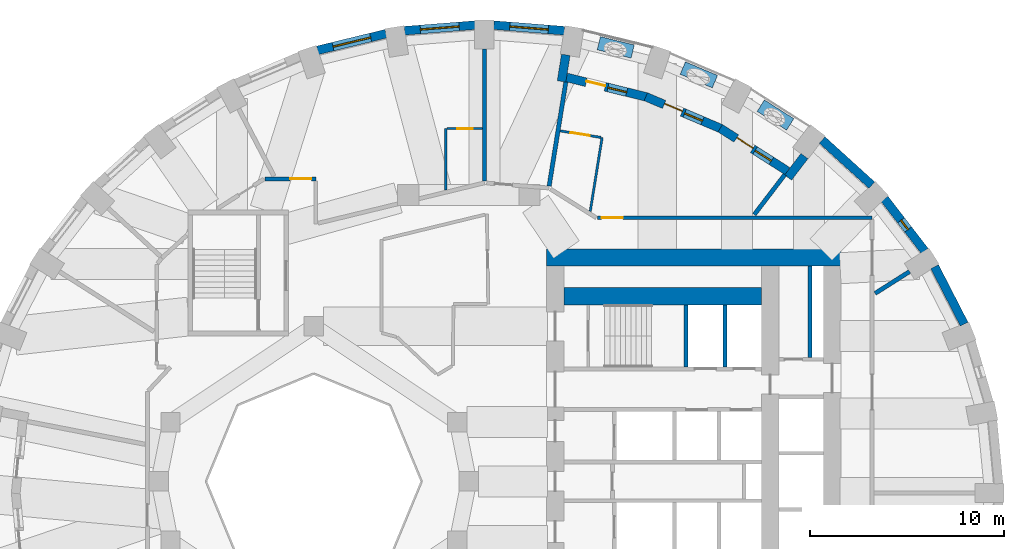
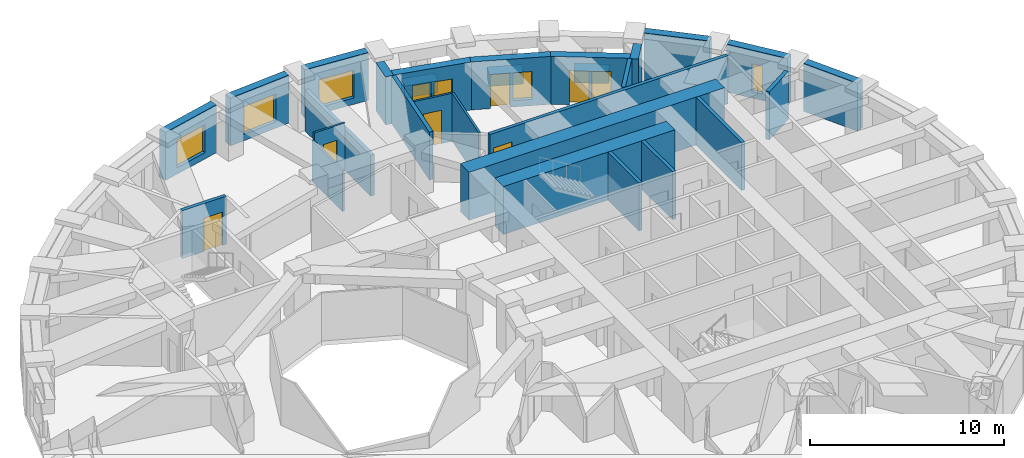
# One storey, part 8 of 12: 29 walls, 7 doors, 7 windows, 14 openings.
"""IFC4 building model written with IfcOpenShell, lengths in metres."""

from ifc_helpers import new_model, si_unit, direction, frame, frame_2d, origin, place, context, subcontext, project, spatial, rectangle, extrude, material, layer, layer_set, constituent, constituent_set, type_object, element, fill, save


model = new_model("IFC4")

# Units and contexts
model_context = context("Model", 3, precision=1e-05, world=origin(), true_north=direction((0.0, 1.0)))
body_context = subcontext(model_context, "Body", "Model", "MODEL_VIEW")
ifc_project = project(units=[si_unit("LENGTHUNIT", "METRE"), si_unit("AREAUNIT", "SQUARE_METRE"), si_unit("VOLUMEUNIT", "CUBIC_METRE"), si_unit("PLANEANGLEUNIT", "RADIAN"), si_unit("MASSUNIT", "GRAM", prefix="KILO")], contexts=[model_context])

# Site, building, storey
site_placement = place(None, origin())
site = spatial("IfcSite", under=ifc_project, at=site_placement, CompositionType="ELEMENT")
building_placement = place(site_placement, origin())
building = spatial("IfcBuilding", under=site, at=building_placement, Name="Taillehof Tower", CompositionType="ELEMENT")
storey_placement = place(building_placement, frame((0.0, 0.0, 102.10009765625)))
storey = spatial("IfcBuildingStorey", under=building, at=storey_placement, Name="L28", CompositionType="ELEMENT", Elevation=102.10009765625)

# Wall
ifc_material_1 = material(Name="Brick masonry", Category="masonry")
ifc_layer_1 = layer(ifc_material_1, 0.449951171875)
ifc_layer_set_1 = layer_set([ifc_layer_1], Name="Brick infill wall 450")
wall_type_1 = type_object("IfcWallType", Name="Brick infill wall 450", PredefinedType="SOLIDWALL", material=ifc_layer_set_1)
wall_1_placement = place(storey_placement, frame((25.545166015625, 8.1123046875, 0.0), z_axis=(0.0, 0.0, 1.0), x_axis=(-0.456828186229, 0.889554949549, 0.0)))
element("IfcWall", 1, at=wall_1_placement, inside=storey, type_object=wall_type_1, Name="Brick wall L28 bay 3", PredefinedType="SOLIDWALL", context=body_context, shape_type="SweptSolid", body=[
    extrude(rectangle(XDim=3.332763671875, YDim=0.449951171875, at=frame_2d((1.66650390625, 0.0))), origin(), (0.0, 0.0, 1.0), 3.02001953125),
])

# Wall, opening, window
wall_2_placement = place(storey_placement, frame((23.508056640625, 11.887451171875, 0.0), z_axis=(0.0, 0.0, 1.0), x_axis=(-0.610693945156, 0.791866721961, 0.0)))
wall_2 = element("IfcWall", 2, at=wall_2_placement, inside=storey, type_object=wall_type_1, Name="Brick wall L28 bay 4", PredefinedType="SOLIDWALL", context=body_context, shape_type="SweptSolid", body=[
    extrude(rectangle(XDim=3.39453125, YDim=0.449951171875, at=frame_2d((1.697265625, 0.0))), origin(), (0.0, 0.0, 1.0), 3.02001953125),
])
opening_1_placement = place(wall_2_placement, frame((1.397216796875, 0.0, 0.39990234375)))
opening_1 = element("IfcOpeningElement", 3, at=opening_1_placement, cuts=wall_2, Name="Opening W6", PredefinedType="OPENING", context=body_context, shape_type="SweptSolid", body=[
    extrude(rectangle(XDim=0.60009765625, YDim=1.75, at=frame_2d((0.300048828125, 0.875))), frame((0.0, 0.23486328125, 0.0), z_axis=(0.0, -1.0, 0.0), x_axis=(1.0, 0.0, 0.0)), (0.0, 0.0, 1.0), 0.469970703125),
])
ifc_material_2 = material(Name="Aluminium window frame with clear double glazing", Category="aluminium")
window_type_1 = type_object("IfcWindowType", Name="Slot window 600x1750", PartitioningType="SINGLE_PANEL", PredefinedType="WINDOW", material=ifc_material_2)
window_1_placement = place(opening_1_placement, origin())
window_1 = element("IfcWindow", 4, at=window_1_placement, inside=storey, type_object=window_type_1, Name="W6", OverallHeight=1.75, OverallWidth=0.60009765625, PartitioningType="SINGLE_PANEL", PredefinedType="WINDOW", context=body_context, shape_type="SweptSolid", body=[
    extrude(rectangle(XDim=0.60009765625, YDim=1.75, at=frame_2d((0.300048828125, 0.875))), frame((0.0, 0.034912109375, 0.0), z_axis=(0.0, -1.0, 0.0), x_axis=(1.0, 0.0, 0.0)), (0.0, 0.0, 1.0), 0.06005859375),
])
fill(opening_1, window_1)

# Wall
wall_3_placement = place(storey_placement, frame((20.783935546875, 15.281005859375, 0.0), z_axis=(0.0, 0.0, 1.0), x_axis=(-0.74032902847, 0.672244694739, 0.0)))
element("IfcWall", 5, at=wall_3_placement, inside=storey, type_object=wall_type_1, Name="Brick wall L28 bay 5", PredefinedType="SOLIDWALL", context=body_context, shape_type="SweptSolid", body=[
    extrude(rectangle(XDim=3.4638671875, YDim=0.449951171875, at=frame_2d((1.73193359375, 0.0))), origin(), (0.0, 0.0, 1.0), 3.02001953125),
])

# Wall, opening, window
wall_4_placement = place(storey_placement, frame((4.926513671875, 23.24658203125, 0.0), z_axis=(0.0, 0.0, 1.0), x_axis=(-0.996862216754, 0.079156306178, 0.0)))
wall_4 = element("IfcWall", 6, at=wall_4_placement, inside=storey, type_object=wall_type_1, Name="Brick wall L28 bay 9", PredefinedType="SOLIDWALL", context=body_context, shape_type="SweptSolid", body=[
    extrude(rectangle(XDim=3.657958984375, YDim=0.449951171875, at=frame_2d((1.8291015625, 0.0))), origin(), (0.0, 0.0, 1.0), 3.02001953125),
])
opening_2_placement = place(wall_4_placement, frame((0.8291015625, 0.0, 0.39990234375)))
opening_2 = element("IfcOpeningElement", 7, at=opening_2_placement, cuts=wall_4, Name="Opening W2", PredefinedType="OPENING", context=body_context, shape_type="SweptSolid", body=[
    extrude(rectangle(XDim=2.0, YDim=1.75, at=frame_2d((1.0, 0.875))), frame((0.0, 0.23486328125, 0.0), z_axis=(0.0, -1.0, 0.0), x_axis=(1.0, 0.0, 0.0)), (0.0, 0.0, 1.0), 0.469970703125),
])
ifc_material_3 = material(Name="Aluminium window frame with clear double glazing", Category="aluminium")
window_type_2 = type_object("IfcWindowType", Name="Deep-set window 2000x1750", PartitioningType="SINGLE_PANEL", PredefinedType="WINDOW", material=ifc_material_3)
window_2_placement = place(opening_2_placement, origin())
window_2 = element("IfcWindow", 8, at=window_2_placement, inside=storey, type_object=window_type_2, Name="W2", OverallHeight=1.75, OverallWidth=2.0, PartitioningType="SINGLE_PANEL", PredefinedType="WINDOW", context=body_context, shape_type="SweptSolid", body=[
    extrude(rectangle(XDim=2.0, YDim=1.75, at=frame_2d((1.0, 0.875))), frame((0.0, 0.034912109375, 0.0), z_axis=(0.0, -1.0, 0.0), x_axis=(1.0, 0.0, 0.0)), (0.0, 0.0, 1.0), 0.06005859375),
])
fill(opening_2, window_2)

wall_5_placement = place(storey_placement, frame((0.31982421875, 23.5361328125, 0.0), z_axis=(0.0, 0.0, 1.0), x_axis=(-0.996862216754, -0.079156306178, 0.0)))
wall_5 = element("IfcWall", 9, at=wall_5_placement, inside=storey, type_object=wall_type_1, Name="Brick wall L28 bay 10", PredefinedType="SOLIDWALL", context=body_context, shape_type="SweptSolid", body=[
    extrude(rectangle(XDim=3.657958984375, YDim=0.449951171875, at=frame_2d((1.8291015625, 0.0))), origin(), (0.0, 0.0, 1.0), 3.02001953125),
])
opening_3_placement = place(wall_5_placement, frame((0.8291015625, 0.0, 0.39990234375)))
opening_3 = element("IfcOpeningElement", 10, at=opening_3_placement, cuts=wall_5, Name="Opening W2", PredefinedType="OPENING", context=body_context, shape_type="SweptSolid", body=[
    extrude(rectangle(XDim=2.0, YDim=1.75, at=frame_2d((1.0, 0.875))), frame((0.0, 0.23486328125, 0.0), z_axis=(0.0, -1.0, 0.0), x_axis=(1.0, 0.0, 0.0)), (0.0, 0.0, 1.0), 0.469970703125),
])
window_3_placement = place(opening_3_placement, origin())
window_3 = element("IfcWindow", 11, at=window_3_placement, inside=storey, type_object=window_type_2, Name="W2", OverallHeight=1.75, OverallWidth=2.0, PartitioningType="SINGLE_PANEL", PredefinedType="WINDOW", context=body_context, shape_type="SweptSolid", body=[
    extrude(rectangle(XDim=2.0, YDim=1.75, at=frame_2d((1.0, 0.875))), frame((0.0, 0.034912109375, 0.0), z_axis=(0.0, -1.0, 0.0), x_axis=(1.0, 0.0, 0.0)), (0.0, 0.0, 1.0), 0.06005859375),
])
fill(opening_3, window_3)

wall_6_placement = place(storey_placement, frame((-4.274658203125, 23.094482421875, 0.0), z_axis=(0.0, 0.0, 1.0), x_axis=(-0.971667603162, -0.236351579148, 0.0)))
wall_6 = element("IfcWall", 12, at=wall_6_placement, inside=storey, type_object=wall_type_1, Name="Brick wall L28 bay 11", PredefinedType="SOLIDWALL", context=body_context, shape_type="SweptSolid", body=[
    extrude(rectangle(XDim=3.635009765625, YDim=0.449951171875, at=frame_2d((1.8173828125, 0.0))), origin(), (0.0, 0.0, 1.0), 3.02001953125),
])
opening_4_placement = place(wall_6_placement, frame((0.8173828125, 0.0, 0.39990234375)))
opening_4 = element("IfcOpeningElement", 13, at=opening_4_placement, cuts=wall_6, Name="Opening W2", PredefinedType="OPENING", context=body_context, shape_type="SweptSolid", body=[
    extrude(rectangle(XDim=2.0, YDim=1.75, at=frame_2d((1.0, 0.875))), frame((0.0, 0.23486328125, 0.0), z_axis=(0.0, -1.0, 0.0), x_axis=(1.0, 0.0, 0.0)), (0.0, 0.0, 1.0), 0.469970703125),
])
window_4_placement = place(opening_4_placement, origin())
window_4 = element("IfcWindow", 14, at=window_4_placement, inside=storey, type_object=window_type_2, Name="W2", OverallHeight=1.75, OverallWidth=2.0, PartitioningType="SINGLE_PANEL", PredefinedType="WINDOW", context=body_context, shape_type="SweptSolid", body=[
    extrude(rectangle(XDim=2.0, YDim=1.75, at=frame_2d((1.0, 0.875))), frame((0.0, 0.034912109375, 0.0), z_axis=(0.0, -1.0, 0.0), x_axis=(1.0, 0.0, 0.0)), (0.0, 0.0, 1.0), 0.06005859375),
])
fill(opening_4, window_4)

# Walls
wall_7_placement = place(storey_placement, frame((17.3076171875, 16.779541015625, 0.0), z_axis=(0.0, 0.0, 1.0), x_axis=(-0.607137336608, -0.794596913219, 0.0)))
element("IfcWall", 15, at=wall_7_placement, inside=storey, type_object=wall_type_1, Name="Brick reveal L28 pocket 1", PredefinedType="SOLIDWALL", context=body_context, shape_type="SweptSolid", body=[
    extrude(rectangle(XDim=1.390869140625, YDim=0.449951171875, at=frame_2d((0.6953125, 0.0))), origin(), (0.0, 0.0, 1.0), 3.02001953125),
])
wall_8_placement = place(storey_placement, frame((4.9970703125, 22.003662109375, 0.0), z_axis=(0.0, 0.0, 1.0), x_axis=(-0.158613884007, -0.98734068882, 0.0)))
element("IfcWall", 16, at=wall_8_placement, inside=storey, type_object=wall_type_1, Name="Brick reveal L28 pocket 1", PredefinedType="SOLIDWALL", context=body_context, shape_type="SweptSolid", body=[
    extrude(rectangle(XDim=1.389892578125, YDim=0.449951171875, at=frame_2d((0.69482421875, 0.0))), origin(), (0.0, 0.0, 1.0), 3.02001953125),
])

# Wall, openings, door, window
wall_9_placement = place(storey_placement, frame((16.4326171875, 16.0048828125, 0.0), z_axis=(0.0, 0.0, 1.0), x_axis=(-0.843265516514, 0.537497226651, 0.0)))
wall_9 = element("IfcWall", 17, at=wall_9_placement, inside=storey, type_object=wall_type_1, Name="Brick wall L28 pocket bay 6", PredefinedType="SOLIDWALL", context=body_context, shape_type="SweptSolid", body=[
    extrude(rectangle(XDim=4.115234375, YDim=0.449951171875, at=frame_2d((2.0576171875, 0.0))), origin(), (0.0, 0.0, 1.0), 3.02001953125),
])
opening_5_placement = place(wall_9_placement, frame((0.982666015625, 0.0, 0.39990234375)))
opening_5 = element("IfcOpeningElement", 18, at=opening_5_placement, cuts=wall_9, Name="Opening W5", PredefinedType="OPENING", context=body_context, shape_type="SweptSolid", body=[
    extrude(rectangle(XDim=1.0, YDim=1.75, at=frame_2d((0.5, 0.875))), frame((0.0, 0.23486328125, 0.0), z_axis=(0.0, -1.0, 0.0), x_axis=(1.0, 0.0, 0.0)), (0.0, 0.0, 1.0), 0.469970703125),
])
opening_6_placement = place(wall_9_placement, frame((2.132568359375, 0.0, 0.0)))
opening_6 = element("IfcOpeningElement", 19, at=opening_6_placement, cuts=wall_9, Name="Opening D2891", PredefinedType="OPENING", context=body_context, shape_type="SweptSolid", body=[
    extrude(rectangle(XDim=1.0, YDim=2.14990234375, at=frame_2d((0.5, 1.074951171875))), frame((0.0, 0.23486328125, 0.0), z_axis=(0.0, -1.0, 0.0), x_axis=(1.0, 0.0, 0.0)), (0.0, 0.0, 1.0), 0.469970703125),
])
ifc_material_4 = material(Name="Aluminium door frame with clear double glazing", Category="aluminium")
door_type_1 = type_object("IfcDoorType", Name="Balcony door 1000x2150", OperationType="SINGLE_SWING_RIGHT", PredefinedType="DOOR", material=ifc_material_4)
door_1_placement = place(opening_6_placement, frame((1.0, 0.0, 0.0), z_axis=(0.0, 0.0, 1.0), x_axis=(-1.0, 0.0, 0.0)))
door_1 = element("IfcDoor", 20, at=door_1_placement, inside=storey, type_object=door_type_1, Name="Balcony door L28 bay 6", OperationType="SINGLE_SWING_RIGHT", OverallHeight=2.14990234375, OverallWidth=1.0, PredefinedType="DOOR", context=body_context, shape_type="SweptSolid", body=[
    extrude(rectangle(XDim=1.0, YDim=2.14990234375, at=frame_2d((0.5, 1.074951171875))), frame((0.0, 0.0751953125, 0.0), z_axis=(0.0, -1.0, 0.0), x_axis=(1.0, 0.0, 0.0)), (0.0, 0.0, 1.0), 0.050048828125),
])
fill(opening_6, door_1)
ifc_material_5 = material(Name="Aluminium window frame with clear double glazing", Category="aluminium")
window_type_3 = type_object("IfcWindowType", Name="Fixed window 1000x1750", PartitioningType="SINGLE_PANEL", PredefinedType="WINDOW", material=ifc_material_5)
window_5_placement = place(opening_5_placement, origin())
window_5 = element("IfcWindow", 21, at=window_5_placement, inside=storey, type_object=window_type_3, Name="W5", OverallHeight=1.75, OverallWidth=1.0, PartitioningType="SINGLE_PANEL", PredefinedType="WINDOW", context=body_context, shape_type="SweptSolid", body=[
    extrude(rectangle(XDim=1.0, YDim=1.75, at=frame_2d((0.5, 0.875))), frame((0.0, 0.034912109375, 0.0), z_axis=(0.0, -1.0, 0.0), x_axis=(1.0, 0.0, 0.0)), (0.0, 0.0, 1.0), 0.06005859375),
])
fill(opening_5, window_5)

wall_10_placement = place(storey_placement, frame((12.995361328125, 18.199462890625, 0.0), z_axis=(0.0, 0.0, 1.0), x_axis=(-0.920487538818, 0.3907719167, 0.0)))
wall_10 = element("IfcWall", 22, at=wall_10_placement, inside=storey, type_object=wall_type_1, Name="Brick wall L28 pocket bay 7", PredefinedType="SOLIDWALL", context=body_context, shape_type="SweptSolid", body=[
    extrude(rectangle(XDim=4.20654296875, YDim=0.449951171875, at=frame_2d((2.103271484375, 0.0))), origin(), (0.0, 0.0, 1.0), 3.02001953125),
])
opening_7_placement = place(wall_10_placement, frame((1.0283203125, 0.0, 0.39990234375)))
opening_7 = element("IfcOpeningElement", 23, at=opening_7_placement, cuts=wall_10, Name="Opening W5", PredefinedType="OPENING", context=body_context, shape_type="SweptSolid", body=[
    extrude(rectangle(XDim=1.0, YDim=1.75, at=frame_2d((0.5, 0.875))), frame((0.0, 0.23486328125, 0.0), z_axis=(0.0, -1.0, 0.0), x_axis=(1.0, 0.0, 0.0)), (0.0, 0.0, 1.0), 0.469970703125),
])
opening_8_placement = place(wall_10_placement, frame((2.17822265625, 0.0, 0.0)))
opening_8 = element("IfcOpeningElement", 24, at=opening_8_placement, cuts=wall_10, Name="Opening D2892", PredefinedType="OPENING", context=body_context, shape_type="SweptSolid", body=[
    extrude(rectangle(XDim=1.0, YDim=2.14990234375, at=frame_2d((0.5, 1.074951171875))), frame((0.0, 0.23486328125, 0.0), z_axis=(0.0, -1.0, 0.0), x_axis=(1.0, 0.0, 0.0)), (0.0, 0.0, 1.0), 0.469970703125),
])
door_2_placement = place(opening_8_placement, frame((1.0, 0.0, 0.0), z_axis=(0.0, 0.0, 1.0), x_axis=(-1.0, 0.0, 0.0)))
door_2 = element("IfcDoor", 25, at=door_2_placement, inside=storey, type_object=door_type_1, Name="Balcony door L28 bay 7", OperationType="SINGLE_SWING_LEFT", OverallHeight=2.14990234375, OverallWidth=1.0, PredefinedType="DOOR", context=body_context, shape_type="SweptSolid", body=[
    extrude(rectangle(XDim=1.0, YDim=2.14990234375, at=frame_2d((0.5, 1.074951171875))), frame((0.0, 0.0751953125, 0.0), z_axis=(0.0, -1.0, 0.0), x_axis=(1.0, 0.0, 0.0)), (0.0, 0.0, 1.0), 0.050048828125),
])
fill(opening_8, door_2)
window_6_placement = place(opening_7_placement, origin())
window_6 = element("IfcWindow", 26, at=window_6_placement, inside=storey, type_object=window_type_3, Name="W5", OverallHeight=1.75, OverallWidth=1.0, PartitioningType="SINGLE_PANEL", PredefinedType="WINDOW", context=body_context, shape_type="SweptSolid", body=[
    extrude(rectangle(XDim=1.0, YDim=1.75, at=frame_2d((0.5, 0.875))), frame((0.0, 0.034912109375, 0.0), z_axis=(0.0, -1.0, 0.0), x_axis=(1.0, 0.0, 0.0)), (0.0, 0.0, 1.0), 0.06005859375),
])
fill(opening_7, window_6)

wall_11_placement = place(storey_placement, frame((9.157958984375, 19.831787109375, 0.0), z_axis=(0.0, 0.0, 1.0), x_axis=(-0.97152486365, 0.236937627468, 0.0)))
wall_11 = element("IfcWall", 27, at=wall_11_placement, inside=storey, type_object=wall_type_1, Name="Brick wall L28 pocket bay 8", PredefinedType="SOLIDWALL", context=body_context, shape_type="SweptSolid", body=[
    extrude(rectangle(XDim=4.2412109375, YDim=0.449951171875, at=frame_2d((2.12060546875, 0.0))), origin(), (0.0, 0.0, 1.0), 3.02001953125),
])
opening_9_placement = place(wall_11_placement, frame((1.045654296875, 0.0, 0.39990234375)))
opening_9 = element("IfcOpeningElement", 28, at=opening_9_placement, cuts=wall_11, Name="Opening W5", PredefinedType="OPENING", context=body_context, shape_type="SweptSolid", body=[
    extrude(rectangle(XDim=1.0, YDim=1.75, at=frame_2d((0.5, 0.875))), frame((0.0, 0.23486328125, 0.0), z_axis=(0.0, -1.0, 0.0), x_axis=(1.0, 0.0, 0.0)), (0.0, 0.0, 1.0), 0.469970703125),
])
opening_10_placement = place(wall_11_placement, frame((2.195556640625, 0.0, 0.0)))
opening_10 = element("IfcOpeningElement", 29, at=opening_10_placement, cuts=wall_11, Name="Opening D2893", PredefinedType="OPENING", context=body_context, shape_type="SweptSolid", body=[
    extrude(rectangle(XDim=1.0, YDim=2.14990234375, at=frame_2d((0.5, 1.074951171875))), frame((0.0, 0.23486328125, 0.0), z_axis=(0.0, -1.0, 0.0), x_axis=(1.0, 0.0, 0.0)), (0.0, 0.0, 1.0), 0.469970703125),
])
door_3_placement = place(opening_10_placement, frame((1.0, 0.0, 0.0), z_axis=(0.0, 0.0, 1.0), x_axis=(-1.0, 0.0, 0.0)))
door_3 = element("IfcDoor", 30, at=door_3_placement, inside=storey, type_object=door_type_1, Name="Balcony door L28 bay 8", OperationType="SINGLE_SWING_LEFT", OverallHeight=2.14990234375, OverallWidth=1.0, PredefinedType="DOOR", context=body_context, shape_type="SweptSolid", body=[
    extrude(rectangle(XDim=1.0, YDim=2.14990234375, at=frame_2d((0.5, 1.074951171875))), frame((0.0, 0.0751953125, 0.0), z_axis=(0.0, -1.0, 0.0), x_axis=(1.0, 0.0, 0.0)), (0.0, 0.0, 1.0), 0.050048828125),
])
fill(opening_10, door_3)
window_7_placement = place(opening_9_placement, origin())
window_7 = element("IfcWindow", 31, at=window_7_placement, inside=storey, type_object=window_type_3, Name="W5", OverallHeight=1.75, OverallWidth=1.0, PartitioningType="SINGLE_PANEL", PredefinedType="WINDOW", context=body_context, shape_type="SweptSolid", body=[
    extrude(rectangle(XDim=1.0, YDim=1.75, at=frame_2d((0.5, 0.875))), frame((0.0, 0.034912109375, 0.0), z_axis=(0.0, -1.0, 0.0), x_axis=(1.0, 0.0, 0.0)), (0.0, 0.0, 1.0), 0.06005859375),
])
fill(opening_9, window_7)

# Wall
ifc_material_6 = material(Name="Calcium silicate masonry", Category="masonry")
ifc_layer_2 = layer(ifc_material_6, 0.199951171875)
ifc_layer_set_2 = layer_set([ifc_layer_2], Name="Compartment wall calcium silicate 200")
wall_type_2 = type_object("IfcWallType", Name="Compartment wall calcium silicate 200", PredefinedType="PARTITIONING", material=ifc_layer_set_2)
wall_12_placement = place(storey_placement, frame((17.60009765625, 6.39990234375, 0.0), z_axis=(0.0, 0.0, 1.0), x_axis=(0.0, 1.0, 0.0)))
element("IfcWall", 32, at=wall_12_placement, inside=storey, type_object=wall_type_2, Name="Compartment wall FW", PredefinedType="PARTITIONING", context=body_context, shape_type="SweptSolid", body=[
    extrude(rectangle(XDim=4.7001953125, YDim=0.199951171875, at=frame_2d((2.35009765625, 0.0))), origin(), (0.0, 0.0, 1.0), 3.02001953125),
])

# Wall, opening, door
ifc_material_7 = material(Name="Gypsum board on steel studs, two layers each side", Category="steel")
ifc_layer_3 = layer(ifc_material_7, 0.199951171875)
ifc_layer_set_3 = layer_set([ifc_layer_3], Name="Compartment wall corridor 200")
wall_type_3 = type_object("IfcWallType", Name="Compartment wall corridor 200", PredefinedType="PARTITIONING", material=ifc_layer_set_3)
wall_13_placement = place(storey_placement, frame((-10.508544921875, 15.60009765625, 0.0), z_axis=(0.0, 0.0, 1.0), x_axis=(1.0, 0.0, 0.0)))
wall_13 = element("IfcWall", 33, at=wall_13_placement, inside=storey, type_object=wall_type_3, Name="Compartment wall", PredefinedType="PARTITIONING", context=body_context, shape_type="SweptSolid", body=[
    extrude(rectangle(XDim=2.608642578125, YDim=0.199951171875, at=frame_2d((1.30419921875, 0.0))), origin(), (0.0, 0.0, 1.0), 3.02001953125),
])
opening_11_placement = place(wall_13_placement, frame((1.28857421875, 0.0, 0.0)))
opening_11 = element("IfcOpeningElement", 34, at=opening_11_placement, cuts=wall_13, Name="Opening D2843", PredefinedType="OPENING", context=body_context, shape_type="SweptSolid", body=[
    extrude(rectangle(XDim=1.10009765625, YDim=2.10009765625, at=frame_2d((0.550048828125, 1.050048828125))), frame((0.0, 0.10986328125, 0.0), z_axis=(0.0, -1.0, 0.0), x_axis=(1.0, 0.0, 0.0)), (0.0, 0.0, 1.0), 0.219970703125),
])
ifc_material_8 = material(Name="Timber door leaf in steel frame", Category="steel")
door_type_2 = type_object("IfcDoorType", Name="Suite entrance door EI 30 1100 x 2100", OperationType="SINGLE_SWING_LEFT", PredefinedType="DOOR", material=ifc_material_8)
door_4_placement = place(opening_11_placement, origin())
door_4 = element("IfcDoor", 35, at=door_4_placement, inside=storey, type_object=door_type_2, Name="D2843", OperationType="SINGLE_SWING_LEFT", OverallHeight=2.10009765625, OverallWidth=1.10009765625, PredefinedType="DOOR", context=body_context, shape_type="SweptSolid", body=[
    extrude(rectangle(XDim=1.10009765625, YDim=2.10009765625, at=frame_2d((0.550048828125, 1.050048828125))), frame((0.0, 0.02490234375, 0.0), z_axis=(0.0, -1.0, 0.0), x_axis=(1.0, 0.0, 0.0)), (0.0, 0.0, 1.0), 0.050048828125),
])
fill(opening_11, door_4)

wall_14_placement = place(storey_placement, frame((6.62744140625, 13.60009765625, 0.0), z_axis=(0.0, 0.0, 1.0), x_axis=(1.0, 0.0, 0.0)))
wall_14 = element("IfcWall", 36, at=wall_14_placement, inside=storey, type_object=wall_type_3, Name="Compartment wall", PredefinedType="PARTITIONING", context=body_context, shape_type="SweptSolid", body=[
    extrude(rectangle(XDim=14.172607421875, YDim=0.199951171875, at=frame_2d((7.08642578125, 0.0))), origin(), (0.0, 0.0, 1.0), 3.02001953125),
])
opening_12_placement = place(wall_14_placement, frame((0.219970703125, 0.0, 0.0)))
opening_12 = element("IfcOpeningElement", 37, at=opening_12_placement, cuts=wall_14, Name="Opening D2840", PredefinedType="OPENING", context=body_context, shape_type="SweptSolid", body=[
    extrude(rectangle(XDim=1.10009765625, YDim=2.10009765625, at=frame_2d((0.550048828125, 1.050048828125))), frame((0.0, 0.10986328125, 0.0), z_axis=(0.0, -1.0, 0.0), x_axis=(1.0, 0.0, 0.0)), (0.0, 0.0, 1.0), 0.219970703125),
])
ifc_material_9 = material(Name="Timber door leaf in steel frame", Category="steel")
door_type_3 = type_object("IfcDoorType", Name="Accessible guest room door EI 30 1100 x 2100", OperationType="SINGLE_SWING_LEFT", PredefinedType="DOOR", material=ifc_material_9)
door_5_placement = place(opening_12_placement, origin())
door_5 = element("IfcDoor", 38, at=door_5_placement, inside=storey, type_object=door_type_3, Name="D2840", OperationType="SINGLE_SWING_LEFT", OverallHeight=2.10009765625, OverallWidth=1.10009765625, PredefinedType="DOOR", context=body_context, shape_type="SweptSolid", body=[
    extrude(rectangle(XDim=1.10009765625, YDim=2.10009765625, at=frame_2d((0.550048828125, 1.050048828125))), frame((0.0, 0.02490234375, 0.0), z_axis=(0.0, -1.0, 0.0), x_axis=(1.0, 0.0, 0.0)), (0.0, 0.0, 1.0), 0.050048828125),
])
fill(opening_12, door_5)

# Walls
ifc_material_10 = material(Name="Gypsum board on double steel studs with mineral wool", Category="steel")
ifc_layer_4 = layer(ifc_material_10, 0.219970703125)
ifc_layer_set_4 = layer_set([ifc_layer_4], Name="Compartment wall guest room 220")
wall_type_4 = type_object("IfcWallType", Name="Compartment wall guest room 220", PredefinedType="PARTITIONING", material=ifc_layer_set_4)
wall_15_placement = place(storey_placement, frame((22.7265625, 10.8232421875, 0.0), z_axis=(0.0, 0.0, 1.0), x_axis=(-0.844549560094, -0.53547739499, 0.0)))
element("IfcWall", 39, at=wall_15_placement, inside=storey, type_object=wall_type_4, Name="Compartment wall", PredefinedType="PARTITIONING", context=body_context, shape_type="SweptSolid", body=[
    extrude(rectangle(XDim=2.102783203125, YDim=0.219970703125, at=frame_2d((1.05126953125, 0.0))), origin(), (0.0, 0.0, 1.0), 3.02001953125),
])
wall_16_placement = place(storey_placement, frame((16.295654296875, 15.825439453125, 0.0), z_axis=(0.0, 0.0, 1.0), x_axis=(-0.607037876857, -0.794672898784, 0.0)))
element("IfcWall", 40, at=wall_16_placement, inside=storey, type_object=wall_type_4, Name="Compartment wall", PredefinedType="PARTITIONING", context=body_context, shape_type="SweptSolid", body=[
    extrude(rectangle(XDim=2.594482421875, YDim=0.219970703125, at=frame_2d((1.29736328125, 0.0))), origin(), (0.0, 0.0, 1.0), 3.02001953125),
])
wall_17_placement = place(storey_placement, frame((5.001708984375, 20.614013671875, 0.0), z_axis=(0.0, 0.0, 1.0), x_axis=(-0.158488550192, -0.987360815233, 0.0)))
element("IfcWall", 41, at=wall_17_placement, inside=storey, type_object=wall_type_4, Name="Compartment wall", PredefinedType="PARTITIONING", context=body_context, shape_type="SweptSolid", body=[
    extrude(rectangle(XDim=5.448486328125, YDim=0.219970703125, at=frame_2d((2.72412109375, 0.0))), origin(), (0.0, 0.0, 1.0), 3.02001953125),
])
wall_18_placement = place(storey_placement, frame((0.800048828125, 22.300048828125, 0.0), z_axis=(0.0, 0.0, 1.0), x_axis=(0.0, -1.0, 0.0)))
element("IfcWall", 42, at=wall_18_placement, inside=storey, type_object=wall_type_4, Name="Compartment wall", PredefinedType="PARTITIONING", context=body_context, shape_type="SweptSolid", body=[
    extrude(rectangle(XDim=6.800048828125, YDim=0.219970703125, at=frame_2d((3.39990234375, 0.0))), origin(), (0.0, 0.0, 1.0), 2.56982421875),
])
ifc_material_11 = material(Name="Concrete C80/95", Category="concrete")
ifc_layer_5 = layer(ifc_material_11, 0.89990234375)
ifc_layer_set_5 = layer_set([ifc_layer_5], Name="Core wall C80/95 900")
wall_type_5 = type_object("IfcWallType", Name="Core wall C80/95 900", PredefinedType="SHEAR", material=ifc_layer_set_5)
wall_19_placement = place(storey_placement, frame((4.0, 11.550048828125, 0.0), z_axis=(0.0, 0.0, 1.0), x_axis=(1.0, 0.0, 0.0)))
element("IfcWall", 43, at=wall_19_placement, inside=storey, type_object=wall_type_5, Name="Core wall CW03", PredefinedType="SHEAR", context=body_context, shape_type="SweptSolid", body=[
    extrude(rectangle(XDim=15.199951171875, YDim=0.89990234375, at=frame_2d((7.60009765625, 0.0))), origin(), (0.0, 0.0, 1.0), 3.02001953125),
])
wall_20_placement = place(storey_placement, frame((4.89990234375, 9.550048828125, 0.0), z_axis=(0.0, 0.0, 1.0), x_axis=(1.0, 0.0, 0.0)))
element("IfcWall", 44, at=wall_20_placement, inside=storey, type_object=wall_type_5, Name="Core wall CW06", PredefinedType="SHEAR", context=body_context, shape_type="SweptSolid", body=[
    extrude(rectangle(XDim=10.2001953125, YDim=0.89990234375, at=frame_2d((5.10009765625, 0.0))), origin(), (0.0, 0.0, 1.0), 3.02001953125),
])
ifc_material_12 = material(Name="Gypsum board on steel studs, moisture resistant", Category="steel")
ifc_layer_6 = layer(ifc_material_12, 0.1201171875)
ifc_layer_set_6 = layer_set([ifc_layer_6], Name="En-suite wall 120")
wall_type_6 = type_object("IfcWallType", Name="En-suite wall 120", PredefinedType="PARTITIONING", material=ifc_layer_set_6)
wall_21_placement = place(storey_placement, frame((6.2587890625, 13.93359375, 0.0), z_axis=(0.0, 0.0, 1.0), x_axis=(0.158490335471, 0.987360528663, 0.0)))
element("IfcWall", 45, at=wall_21_placement, inside=storey, type_object=wall_type_6, Name="En-suite wall", PredefinedType="PARTITIONING", context=body_context, shape_type="SweptSolid", body=[
    extrude(rectangle(XDim=3.847900390625, YDim=0.1201171875, at=frame_2d((1.923828125, 0.0))), origin(), (0.0, 0.0, 1.0), 3.02001953125),
])
wall_22_placement = place(storey_placement, frame((-1.199951171875, 15.037353515625, 0.0), z_axis=(0.0, 0.0, 1.0), x_axis=(0.0, 1.0, 0.0)))
element("IfcWall", 46, at=wall_22_placement, inside=storey, type_object=wall_type_6, Name="En-suite wall", PredefinedType="PARTITIONING", context=body_context, shape_type="SweptSolid", body=[
    extrude(rectangle(XDim=3.16259765625, YDim=0.1201171875, at=frame_2d((1.581298828125, 0.0))), origin(), (0.0, 0.0, 1.0), 2.56982421875),
])

# Wall, opening, door
wall_23_placement = place(storey_placement, frame((6.809326171875, 17.742431640625, 0.0), z_axis=(0.0, 0.0, 1.0), x_axis=(-0.987337424941, 0.158634199689, 0.0)))
wall_23 = element("IfcWall", 47, at=wall_23_placement, inside=storey, type_object=wall_type_6, Name="En-suite wall", PredefinedType="PARTITIONING", context=body_context, shape_type="SweptSolid", body=[
    extrude(rectangle(XDim=2.1298828125, YDim=0.1201171875, at=frame_2d((1.06494140625, 0.0))), origin(), (0.0, 0.0, 1.0), 3.02001953125),
])
opening_13_placement = place(wall_23_placement, frame((0.58984375, 0.0, 0.0)))
opening_13 = element("IfcOpeningElement", 48, at=opening_13_placement, cuts=wall_23, Name="Opening D2841", PredefinedType="OPENING", context=body_context, shape_type="SweptSolid", body=[
    extrude(rectangle(XDim=1.0, YDim=2.10009765625, at=frame_2d((0.5, 1.050048828125))), frame((0.0, 0.070068359375, 0.0), z_axis=(0.0, -1.0, 0.0), x_axis=(1.0, 0.0, 0.0)), (0.0, 0.0, 1.0), 0.14013671875),
])
ifc_material_13 = material(Name="Timber door leaf in steel frame", Category="steel")
door_type_4 = type_object("IfcDoorType", Name="Accessible en-suite door 1000 x 2100", OperationType="SINGLE_SWING_LEFT", PredefinedType="DOOR", material=ifc_material_13)
door_6_placement = place(opening_13_placement, origin())
door_6 = element("IfcDoor", 49, at=door_6_placement, inside=storey, type_object=door_type_4, Name="D2841", OperationType="SINGLE_SWING_LEFT", OverallHeight=2.10009765625, OverallWidth=1.0, PredefinedType="DOOR", context=body_context, shape_type="SweptSolid", body=[
    extrude(rectangle(XDim=1.0, YDim=2.10009765625, at=frame_2d((0.5, 1.050048828125))), frame((0.0, 0.02490234375, 0.0), z_axis=(0.0, -1.0, 0.0), x_axis=(1.0, 0.0, 0.0)), (0.0, 0.0, 1.0), 0.050048828125),
])
fill(opening_13, door_6)

wall_24_placement = place(storey_placement, frame((-1.139892578125, 18.199951171875, 0.0), z_axis=(0.0, 0.0, 1.0), x_axis=(1.0, 0.0, 0.0)))
wall_24 = element("IfcWall", 50, at=wall_24_placement, inside=storey, type_object=wall_type_6, Name="En-suite wall", PredefinedType="PARTITIONING", context=body_context, shape_type="SweptSolid", body=[
    extrude(rectangle(XDim=1.829833984375, YDim=0.1201171875, at=frame_2d((0.9150390625, 0.0))), origin(), (0.0, 0.0, 1.0), 3.02001953125),
])
opening_14_placement = place(wall_24_placement, frame((0.539794921875, 0.0, 0.0)))
opening_14 = element("IfcOpeningElement", 51, at=opening_14_placement, cuts=wall_24, Name="Opening D2844", PredefinedType="OPENING", context=body_context, shape_type="SweptSolid", body=[
    extrude(rectangle(XDim=0.800048828125, YDim=2.10009765625, at=frame_2d((0.39990234375, 1.050048828125))), frame((0.0, 0.070068359375, 0.0), z_axis=(0.0, -1.0, 0.0), x_axis=(1.0, 0.0, 0.0)), (0.0, 0.0, 1.0), 0.14013671875),
])
ifc_material_14 = material(Name="Timber door leaf in steel frame", Category="steel")
door_type_5 = type_object("IfcDoorType", Name="En-suite door 800 x 2100", OperationType="SINGLE_SWING_LEFT", PredefinedType="DOOR", material=ifc_material_14)
door_7_placement = place(opening_14_placement, origin())
door_7 = element("IfcDoor", 52, at=door_7_placement, inside=storey, type_object=door_type_5, Name="D2844", OperationType="SINGLE_SWING_LEFT", OverallHeight=2.10009765625, OverallWidth=0.800048828125, PredefinedType="DOOR", context=body_context, shape_type="SweptSolid", body=[
    extrude(rectangle(XDim=0.800048828125, YDim=2.10009765625, at=frame_2d((0.39990234375, 1.050048828125))), frame((0.0, 0.02490234375, 0.0), z_axis=(0.0, -1.0, 0.0), x_axis=(1.0, 0.0, 0.0)), (0.0, 0.0, 1.0), 0.050048828125),
])
fill(opening_14, door_7)

# Walls
ifc_material_15 = material(Name="Concrete C30/37 precast", Category="concrete")
ifc_constituent_1 = constituent(ifc_material_15, Name="Structure", Category="concrete")
ifc_material_16 = material(Name="Insulated lining")
ifc_constituent_2 = constituent(ifc_material_16, Name="Lining")
ifc_constituent_set = constituent_set(constituents=[ifc_constituent_1, ifc_constituent_2], Name="Planter trough 700x750")
wall_type_7 = type_object("IfcWallType", Name="Planter trough 700x750", PredefinedType="USERDEFINED", material=ifc_constituent_set)
wall_25_placement = place(storey_placement, frame((16.57275390625, 18.416015625, 0.0), z_axis=(0.0, 0.0, 1.0), x_axis=(-0.843873638802, 0.536541966425, 0.0)))
element("IfcWall", 53, at=wall_25_placement, inside=storey, type_object=wall_type_7, Name="Planter L28 bay 6", ObjectType="PLANTER", PredefinedType="USERDEFINED", context=body_context, shape_type="SweptSolid", body=[
    extrude(rectangle(XDim=1.800048828125, YDim=0.699951171875, at=frame_2d((0.89990234375, 0.0))), origin(), (0.0, 0.0, 1.0), 0.75),
])
wall_26_placement = place(storey_placement, frame((12.689453125, 20.6201171875, 0.0), z_axis=(0.0, 0.0, 1.0), x_axis=(-0.920882984274, 0.389839106909, 0.0)))
element("IfcWall", 54, at=wall_26_placement, inside=storey, type_object=wall_type_7, Name="Planter L28 bay 7", ObjectType="PLANTER", PredefinedType="USERDEFINED", context=body_context, shape_type="SweptSolid", body=[
    extrude(rectangle(XDim=1.7998046875, YDim=0.699951171875, at=frame_2d((0.89990234375, 0.0))), origin(), (0.0, 0.0, 1.0), 0.75),
])
wall_27_placement = place(storey_placement, frame((8.44775390625, 22.175048828125, 0.0), z_axis=(0.0, 0.0, 1.0), x_axis=(-0.971654974133, 0.23640349245, 0.0)))
element("IfcWall", 55, at=wall_27_placement, inside=storey, type_object=wall_type_7, Name="Planter L28 bay 8", ObjectType="PLANTER", PredefinedType="USERDEFINED", context=body_context, shape_type="SweptSolid", body=[
    extrude(rectangle(XDim=1.800048828125, YDim=0.699951171875, at=frame_2d((0.89990234375, 0.0))), origin(), (0.0, 0.0, 1.0), 0.75),
])
ifc_material_17 = material(Name="Concrete C50/60", Category="concrete")
ifc_layer_7 = layer(ifc_material_17, 0.199951171875)
ifc_layer_set_7 = layer_set([ifc_layer_7], Name="Shaft wall C50/60 200")
wall_type_8 = type_object("IfcWallType", Name="Shaft wall C50/60 200", PredefinedType="SHEAR", material=ifc_layer_set_7)
for number, where, z_axis, x_axis, name in (
    (56, (11.199951171875, 5.89990234375, 0.0), (0.0, 0.0, 1.0), (0.0, 1.0, 0.0), "Shaft wall SW"),
    (57, (13.199951171875, 5.89990234375, 0.0), (0.0, 0.0, 1.0), (0.0, 1.0, 0.0), "Shaft wall SW"),
):
    element("IfcWall", number, at=place(storey_placement, frame(where, z_axis=z_axis, x_axis=x_axis)), inside=storey, type_object=wall_type_8, Name=name, PredefinedType="SHEAR", context=body_context, shape_type="SweptSolid", body=[
        extrude(rectangle(XDim=3.2001953125, YDim=0.199951171875, at=frame_2d((1.60009765625, 0.0))), origin(), (0.0, 0.0, 1.0), 3.02001953125),
    ])

save(model, "model.ifc")
